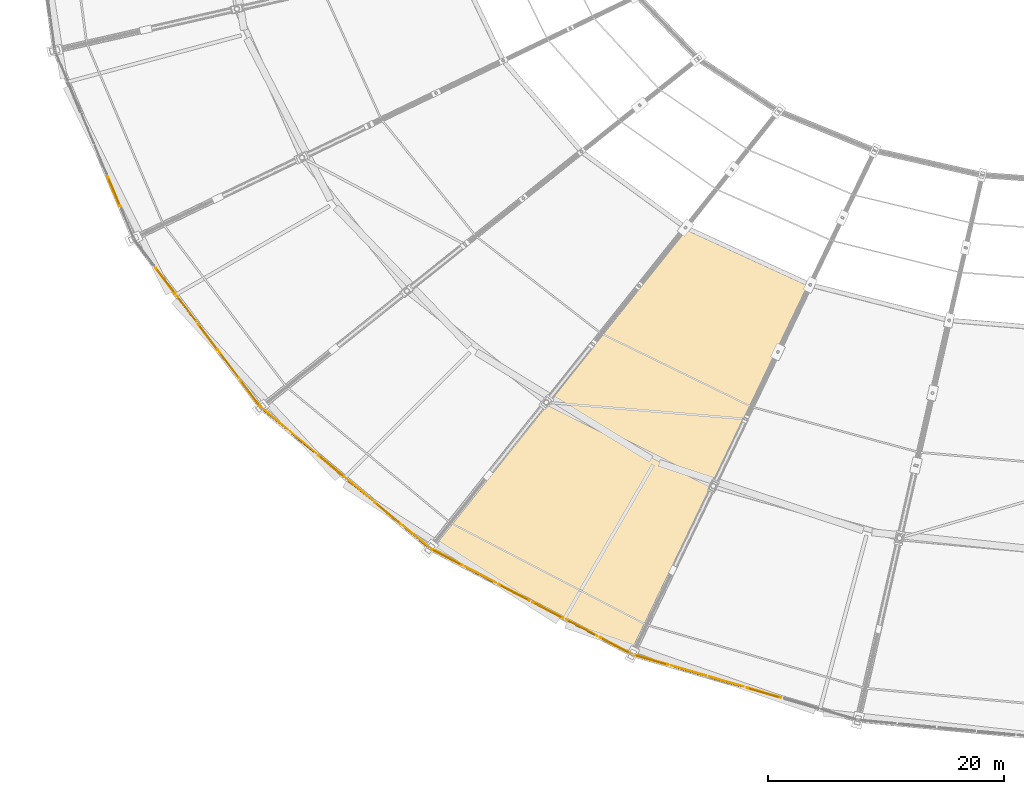
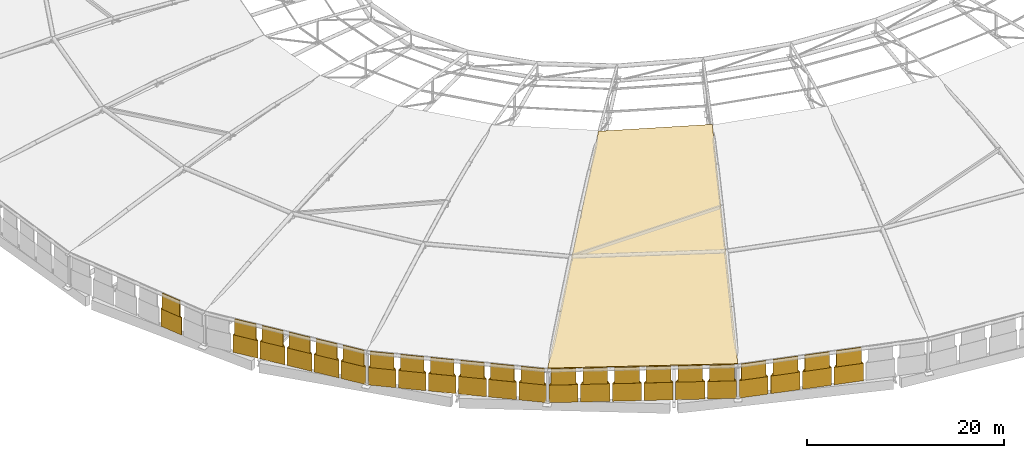
# One storey, part 100 of 108: 45 coverings, 22 shading devices.
"""IFC4 building model written with IfcOpenShell, lengths in metres."""

from ifc_helpers import new_model, si_unit, direction, frame, origin, origin_2d, place, context, subcontext, project, spatial, polyline, rectangle, outline, extrude, material, layer, layer_set, type_object, element, save


model = new_model("IFC4")

# Units and contexts
model_context = context("Model", 3, precision=1e-05, world=origin(), true_north=direction((0.0, 1.0)))
body_context = subcontext(model_context, "Body", "Model", "MODEL_VIEW")
ifc_project = project(units=[si_unit("LENGTHUNIT", "METRE"), si_unit("AREAUNIT", "SQUARE_METRE"), si_unit("VOLUMEUNIT", "CUBIC_METRE"), si_unit("PLANEANGLEUNIT", "RADIAN"), si_unit("MASSUNIT", "GRAM", prefix="KILO")], contexts=[model_context])

# Site, building, storey
site_placement = place(None, origin())
site = spatial("IfcSite", under=ifc_project, at=site_placement, CompositionType="ELEMENT")
building_placement = place(site_placement, origin())
building = spatial("IfcBuilding", under=site, at=building_placement, Name="Zevraka Park Crest Stadium", CompositionType="ELEMENT")
storey_placement = place(building_placement, frame((0.0, 0.0, 29.39990234375)))
storey = spatial("IfcBuildingStorey", under=building, at=storey_placement, Name="RF", CompositionType="ELEMENT", Elevation=29.39990234375)

# Coverings
ifc_material_1 = material(Name="Architectural golden-bronze perforated aluminium", Category="aluminium")
ifc_layer_1 = layer(ifc_material_1, 0.034912109375)
ifc_layer_set_1 = layer_set([ifc_layer_1], Name="Architectural golden-bronze perforated aluminium")
covering_type_1 = type_object("IfcCoveringType", Name="CLD01", PredefinedType="CLADDING", material=ifc_layer_set_1)
covering_1_placement = place(storey_placement, frame((28.4609375, 64.528076171875, 0.0), z_axis=(-0.922077593739, -0.3870050531, 0.0), x_axis=(0.3870050531, -0.922077593739, 0.0)))
element("IfcCovering", 1, at=covering_1_placement, inside=storey, type_object=covering_type_1, Name="Canopy Crown Perforated Bronze Fascia 16-5A", PredefinedType="CLADDING", context=body_context, shape_type="SweptSolid", body=[
    extrude(outline(polyline([(0.0, 0.0), (2.6463993523372635, 0.0), (2.6463993523372635, 2.2001953125), (0.0, 2.2001953125), (0.0, 0.0)])), origin(), (0.0, 0.0, -1.0), 0.044921875),
])
covering_2_placement = place(storey_placement, frame((28.4609375, 64.528076171875, 2.2001953125), z_axis=(0.922077593266, 0.387005052902, 3.2021098e-05), x_axis=(0.3870050531, -0.922077593739, 0.0)))
element("IfcCovering", 2, at=covering_2_placement, inside=storey, type_object=covering_type_1, Name="Canopy Crown Triangular Bronze Screen 16-5B", PredefinedType="CLADDING", context=body_context, shape_type="SweptSolid", body=[
    extrude(outline(polyline([(0.0, 0.0), (2.6463993523372635, 3.3881317890172014e-21), (1.3230398760408437, -2.039794922920753), (0.0, 0.0)])), origin(), (0.0, 0.0, -1.0), 0.044921875),
])
covering_3_placement = place(storey_placement, frame((32.508056640625, 56.85400390625, 0.0), z_axis=(-0.798736787281, -0.601680600189, 0.0), x_axis=(0.601680600189, -0.798736787281, 0.0)))
element("IfcCovering", 3, at=covering_3_placement, inside=storey, type_object=covering_type_1, Name="Canopy Crown Perforated Bronze Fascia 17-2A", PredefinedType="CLADDING", context=body_context, shape_type="SweptSolid", body=[
    extrude(outline(polyline([(0.0, 0.0), (2.7405334004978643, 0.0), (2.7405334004978643, 2.2001953125), (0.0, 2.2001953125), (0.0, 0.0)])), origin(), (0.0, 0.0, -1.0), 0.044921875),
])
covering_4_placement = place(storey_placement, frame((32.508056640625, 56.85400390625, 2.2001953125), z_axis=(0.798736786392, 0.60168059952, 4.7170841e-05), x_axis=(0.601680600189, -0.798736787281, 0.0)))
element("IfcCovering", 4, at=covering_4_placement, inside=storey, type_object=covering_type_1, Name="Canopy Crown Triangular Bronze Screen 17-2B", PredefinedType="CLADDING", context=body_context, shape_type="SweptSolid", body=[
    extrude(outline(polyline([(0.0, 0.0), (2.740533400497864, 1.3552527156068805e-20), (1.369582902696456, -2.039794924144362), (0.0, 0.0)])), origin(), (0.0, 0.0, -1.0), 0.044921875),
])
covering_5_placement = place(storey_placement, frame((34.301025390625, 54.47412109375, 0.0), z_axis=(-0.798769034378, -0.601637789471, 0.0), x_axis=(0.601637789471, -0.798769034378, 0.0)))
element("IfcCovering", 5, at=covering_5_placement, inside=storey, type_object=covering_type_1, Name="Canopy Crown Perforated Bronze Fascia 17-3A", PredefinedType="CLADDING", context=body_context, shape_type="SweptSolid", body=[
    extrude(outline(polyline([(0.0, 0.0), (2.740728408532874, 0.0), (2.740728408532874, 2.2001953125), (0.0, 2.2001953125), (0.0, 0.0)])), origin(), (0.0, 0.0, -1.0), 0.044921875),
])
covering_6_placement = place(storey_placement, frame((34.301025390625, 54.47412109375, 2.2001953125), z_axis=(-0.798769034328, -0.601637789433, 1.1184153e-05), x_axis=(0.601637789471, -0.798769034378, 0.0)))
element("IfcCovering", 6, at=covering_6_placement, inside=storey, type_object=covering_type_1, Name="Canopy Crown Triangular Bronze Screen 17-3B", PredefinedType="CLADDING", context=body_context, shape_type="SweptSolid", body=[
    extrude(outline(polyline([(0.0, 0.0), (2.740728408532874, 1.6940658945086007e-21), (1.3711455026465362, 2.0397949220025744), (0.0, 0.0)])), origin(), (0.0, 0.0, -1.0), 0.044921875),
])
covering_7_placement = place(storey_placement, frame((36.093994140625, 52.094970703125, 0.0), z_axis=(-0.798736787281, -0.601680600189, 0.0), x_axis=(0.601680600189, -0.798736787281, 0.0)))
element("IfcCovering", 7, at=covering_7_placement, inside=storey, type_object=covering_type_1, Name="Canopy Crown Perforated Bronze Fascia 17-4A", PredefinedType="CLADDING", context=body_context, shape_type="SweptSolid", body=[
    extrude(outline(polyline([(0.0, 0.0), (2.7405334004978643, 0.0), (2.7405334004978643, 2.2001953125), (0.0, 2.2001953125), (0.0, 0.0)])), origin(), (0.0, 0.0, -1.0), 0.044921875),
])
covering_8_placement = place(storey_placement, frame((36.093994140625, 52.094970703125, 2.2001953125), z_axis=(0.798736742401, 0.601680566381, 0.00033522856), x_axis=(0.601680600189, -0.798736787281, 0.0)))
element("IfcCovering", 8, at=covering_8_placement, inside=storey, type_object=covering_type_1, Name="Canopy Crown Triangular Bronze Screen 17-4B", PredefinedType="CLADDING", context=body_context, shape_type="SweptSolid", body=[
    extrude(outline(polyline([(0.0, 0.0), (2.7405334004978643, 1.0842021724855044e-19), (1.3703629190902855, -2.0397950364892377), (0.0, 0.0)])), origin(), (0.0, 0.0, -1.0), 0.044921875),
])
covering_9_placement = place(storey_placement, frame((37.886962890625, 49.715087890625, 0.0), z_axis=(-0.798769034378, -0.601637789471, 0.0), x_axis=(0.601637789471, -0.798769034378, 0.0)))
element("IfcCovering", 9, at=covering_9_placement, inside=storey, type_object=covering_type_1, Name="Canopy Crown Perforated Bronze Fascia 17-5A", PredefinedType="CLADDING", context=body_context, shape_type="SweptSolid", body=[
    extrude(outline(polyline([(0.0, 0.0), (2.740728408532874, 0.0), (2.740728408532874, 2.2001953125), (0.0, 2.2001953125), (0.0, 0.0)])), origin(), (0.0, 0.0, -1.0), 0.044921875),
])
covering_10_placement = place(storey_placement, frame((37.886962890625, 49.715087890625, 2.2001953125), z_axis=(-0.798768979338, -0.601637748014, 0.00037123068), x_axis=(0.601637789471, -0.798769034378, 0.0)))
element("IfcCovering", 10, at=covering_10_placement, inside=storey, type_object=covering_type_1, Name="Canopy Crown Triangular Bronze Screen 17-5B", PredefinedType="CLADDING", context=body_context, shape_type="SweptSolid", body=[
    extrude(outline(polyline([(0.0, 0.0), (2.740728408532874, 1.0842021724855044e-19), (1.3701704427901182, 2.039795062429345), (0.0, 0.0)])), origin(), (0.0, 0.0, -1.0), 0.044921875),
])
covering_11_placement = place(storey_placement, frame((39.679931640625, 47.3349609375, 0.0), z_axis=(-0.798693974654, -0.601737430157, 0.0), x_axis=(0.601737430157, -0.798693974654, 0.0)))
element("IfcCovering", 11, at=covering_11_placement, inside=storey, type_object=covering_type_1, Name="Canopy Crown Perforated Bronze Fascia 17-6A", PredefinedType="CLADDING", context=body_context, shape_type="SweptSolid", body=[
    extrude(outline(polyline([(0.0, 0.0), (2.7406803021130823, 0.0), (2.7406803021130823, 2.2001953125), (0.0, 2.2001953125), (0.0, 0.0)])), origin(), (0.0, 0.0, -1.0), 0.044921875),
])
covering_12_placement = place(storey_placement, frame((39.679931640625, 47.3349609375, 2.2001953125), z_axis=(0.798693916065, 0.601737386016, 0.000383029271), x_axis=(0.601737430157, -0.798693974654, 0.0)))
element("IfcCovering", 12, at=covering_12_placement, inside=storey, type_object=covering_type_1, Name="Canopy Crown Triangular Bronze Screen 17-6B", PredefinedType="CLADDING", context=body_context, shape_type="SweptSolid", body=[
    extrude(outline(polyline([(0.0, 0.0), (2.7406803021130823, 0.0), (1.3703628669681416, -2.0397950715056243), (0.0, 0.0)])), origin(), (0.0, 0.0, -1.0), 0.044921875),
])
covering_13_placement = place(storey_placement, frame((41.49609375, 44.971923828125, 0.0), z_axis=(-0.640487107171, -0.767968922254, 0.0), x_axis=(0.767968922254, -0.640487107171, 0.0)))
element("IfcCovering", 13, at=covering_13_placement, inside=storey, type_object=covering_type_1, Name="Canopy Crown Perforated Bronze Fascia 18-1A", PredefinedType="CLADDING", context=body_context, shape_type="SweptSolid", body=[
    extrude(outline(polyline([(0.0, 0.0), (2.8554164500737182, 0.0), (2.8554164500737182, 2.2001953125), (0.0, 2.2001953125), (0.0, 0.0)])), origin(), (0.0, 0.0, -1.0), 0.044921875),
])
covering_14_placement = place(storey_placement, frame((41.49609375, 44.971923828125, 2.2001953125), z_axis=(-0.640487105298, -0.767968920008, 7.6474936e-05), x_axis=(0.767968922254, -0.640487107171, 0.0)))
element("IfcCovering", 14, at=covering_14_placement, inside=storey, type_object=covering_type_1, Name="Canopy Crown Triangular Bronze Screen 18-1B", PredefinedType="CLADDING", context=body_context, shape_type="SweptSolid", body=[
    extrude(outline(polyline([(0.0, 0.0), (2.8554164500737182, 1.3552527156068805e-20), (1.426942317904917, 2.039794927839785), (0.0, 0.0)])), origin(), (0.0, 0.0, -1.0), 0.044921875),
])
covering_15_placement = place(storey_placement, frame((43.87890625, 42.98388671875, 0.0), z_axis=(-0.640243276272, -0.768172211934, 0.0), x_axis=(0.768172211934, -0.640243276272, 0.0)))
element("IfcCovering", 15, at=covering_15_placement, inside=storey, type_object=covering_type_1, Name="Canopy Crown Perforated Bronze Fascia 18-2A", PredefinedType="CLADDING", context=body_context, shape_type="SweptSolid", body=[
    extrude(outline(polyline([(0.0, 0.0), (2.8549786106584403, 0.0), (2.8549786106584403, 2.2001953125), (0.0, 2.2001953125), (0.0, 0.0)])), origin(), (0.0, 0.0, -1.0), 0.044921875),
])
covering_16_placement = place(storey_placement, frame((43.87890625, 42.98388671875, 2.2001953125), z_axis=(-0.640243258208, -0.768172190261, 0.00023754569), x_axis=(0.768172211934, -0.640243276272, 0.0)))
element("IfcCovering", 16, at=covering_16_placement, inside=storey, type_object=covering_type_1, Name="Canopy Crown Triangular Bronze Screen 18-2B", PredefinedType="CLADDING", context=body_context, shape_type="SweptSolid", body=[
    extrude(outline(polyline([(0.0, 0.0), (2.8549786106584403, 0.0), (1.427880005742233, 2.03979497942573), (0.0, 0.0)])), origin(), (0.0, 0.0, -1.0), 0.044921875),
])
covering_17_placement = place(storey_placement, frame((46.261962890625, 40.9970703125, 0.0), z_axis=(-0.640293732957, -0.768130155336, 0.0), x_axis=(0.768130155336, -0.640293732957, 0.0)))
element("IfcCovering", 17, at=covering_17_placement, inside=storey, type_object=covering_type_1, Name="Canopy Crown Perforated Bronze Fascia 18-3A", PredefinedType="CLADDING", context=body_context, shape_type="SweptSolid", body=[
    extrude(outline(polyline([(0.0, 0.0), (2.855134926211494, 0.0), (2.855134926211494, 2.2001953125), (0.0, 2.2001953125), (0.0, 0.0)])), origin(), (0.0, 0.0, -1.0), 0.044921875),
])
covering_18_placement = place(storey_placement, frame((46.261962890625, 40.9970703125, 2.2001953125), z_axis=(0.640293721206, 0.768130141238, 0.000191589982), x_axis=(0.768130155336, -0.640293732957, 0.0)))
element("IfcCovering", 18, at=covering_18_placement, inside=storey, type_object=covering_type_1, Name="Canopy Crown Triangular Bronze Screen 18-3B", PredefinedType="CLADDING", context=body_context, shape_type="SweptSolid", body=[
    extrude(outline(polyline([(0.0, 0.0), (2.855134926211494, 5.421010862427522e-20), (1.4270986336652345, -2.0397949593120925), (0.0, 0.0)])), origin(), (0.0, 0.0, -1.0), 0.044921875),
])
covering_19_placement = place(storey_placement, frame((48.64501953125, 39.010009765625, 0.0), z_axis=(-0.640335790713, -0.76809509511, 0.0), x_axis=(0.76809509511, -0.640335790713, 0.0)))
element("IfcCovering", 19, at=covering_19_placement, inside=storey, type_object=covering_type_1, Name="Canopy Crown Perforated Bronze Fascia 18-4A", PredefinedType="CLADDING", context=body_context, shape_type="SweptSolid", body=[
    extrude(outline(polyline([(0.0, 0.0), (2.8549473987149607, 0.0), (2.8549473987149607, 2.2001953125), (0.0, 2.2001953125), (0.0, 0.0)])), origin(), (0.0, 0.0, -1.0), 0.044921875),
])
covering_20_placement = place(storey_placement, frame((48.64501953125, 39.010009765625, 2.2001953125), z_axis=(-0.64033578319, -0.768095086087, 0.000153282055), x_axis=(0.76809509511, -0.640335790713, 0.0)))
element("IfcCovering", 20, at=covering_20_placement, inside=storey, type_object=covering_type_1, Name="Canopy Crown Triangular Bronze Screen 18-4B", PredefinedType="CLADDING", context=body_context, shape_type="SweptSolid", body=[
    extrude(outline(polyline([(0.0, 0.0), (2.8549473987149607, -2.710505431213761e-20), (1.4278487457906397, 2.0397949458378877), (0.0, 0.0)])), origin(), (0.0, 0.0, -1.0), 0.044921875),
])
covering_21_placement = place(storey_placement, frame((51.028076171875, 37.02294921875, 0.0), z_axis=(-0.64028533532, -0.768137155315, 0.0), x_axis=(0.768137155315, -0.64028533532, 0.0)))
element("IfcCovering", 21, at=covering_21_placement, inside=storey, type_object=covering_type_1, Name="Canopy Crown Perforated Bronze Fascia 18-5A", PredefinedType="CLADDING", context=body_context, shape_type="SweptSolid", body=[
    extrude(outline(polyline([(0.0, 0.0), (2.8547910728937436, 0.0), (2.8547910728937436, 2.2001953125), (0.0, 2.2001953125), (0.0, 0.0)])), origin(), (0.0, 0.0, -1.0), 0.044921875),
])
covering_22_placement = place(storey_placement, frame((51.028076171875, 37.02294921875, 2.2001953125), z_axis=(0.640285322611, 0.768137140069, 0.000199238685), x_axis=(0.768137155315, -0.64028533532, 0.0)))
element("IfcCovering", 22, at=covering_22_placement, inside=storey, type_object=covering_type_1, Name="Canopy Crown Triangular Bronze Screen 18-5B", PredefinedType="CLADDING", context=body_context, shape_type="SweptSolid", body=[
    extrude(outline(polyline([(0.0, 0.0), (2.8547910728937436, -5.421010862427522e-20), (1.427098629307475, -2.0397949623609057), (0.0, 0.0)])), origin(), (0.0, 0.0, -1.0), 0.044921875),
])
covering_23_placement = place(storey_placement, frame((53.410888671875, 35.035888671875, 0.0), z_axis=(-0.640445053294, -0.768003993291, 0.0), x_axis=(0.768003993291, -0.640445053294, 0.0)))
element("IfcCovering", 23, at=covering_23_placement, inside=storey, type_object=covering_type_1, Name="Canopy Crown Perforated Bronze Fascia 18-6A", PredefinedType="CLADDING", context=body_context, shape_type="SweptSolid", body=[
    extrude(outline(polyline([(0.0, 0.0), (2.855603946767651, 0.0), (2.855603946767651, 2.2001953125), (0.0, 2.2001953125), (0.0, 0.0)])), origin(), (0.0, 0.0, -1.0), 0.044921875),
])
covering_24_placement = place(storey_placement, frame((53.410888671875, 35.035888671875, 2.2001953125), z_axis=(-0.640444996419, -0.768003925088, 0.000421438935), x_axis=(0.768003993291, -0.640445053294, 0.0)))
element("IfcCovering", 24, at=covering_24_placement, inside=storey, type_object=covering_type_1, Name="Canopy Crown Triangular Bronze Screen 18-6B", PredefinedType="CLADDING", context=body_context, shape_type="SweptSolid", body=[
    extrude(outline(polyline([(0.0, 0.0), (2.855603946767651, 0.0), (1.4278798291821633, 2.0397951030198036), (0.0, 0.0)])), origin(), (0.0, 0.0, -1.0), 0.044921875),
])
covering_25_placement = place(storey_placement, frame((55.81298828125, 33.068115234375, 0.0), z_axis=(-0.464006994671, -0.88583153528, 0.0), x_axis=(0.88583153528, -0.464006994671, 0.0)))
element("IfcCovering", 25, at=covering_25_placement, inside=storey, type_object=covering_type_1, Name="Canopy Crown Perforated Bronze Fascia 19-1A", PredefinedType="CLADDING", context=body_context, shape_type="SweptSolid", body=[
    extrude(outline(polyline([(0.0, 0.0), (2.9633173977824248, 0.0), (2.9633173977824248, 2.2001953125), (0.0, 2.2001953125), (0.0, 0.0)])), origin(), (0.0, 0.0, -1.0), 0.044921875),
])
covering_26_placement = place(storey_placement, frame((55.81298828125, 33.068115234375, 2.2001953125), z_axis=(0.464006984729, 0.885831516302, 0.000206999471), x_axis=(0.88583153528, -0.464006994671, 0.0)))
element("IfcCovering", 26, at=covering_26_placement, inside=storey, type_object=covering_type_1, Name="Canopy Crown Triangular Bronze Screen 19-1B", PredefinedType="CLADDING", context=body_context, shape_type="SweptSolid", body=[
    extrude(outline(polyline([(0.0, 0.0), (2.963317397782425, 0.0), (1.4824310826935982, -2.0397949655763647), (0.0, 0.0)])), origin(), (0.0, 0.0, -1.0), 0.044921875),
])
covering_27_placement = place(storey_placement, frame((58.6669921875, 31.572998046875, 0.0), z_axis=(-0.464265532752, -0.885696062483, 0.0), x_axis=(0.885696062483, -0.464265532752, 0.0)))
element("IfcCovering", 27, at=covering_27_placement, inside=storey, type_object=covering_type_1, Name="Canopy Crown Perforated Bronze Fascia 19-2A", PredefinedType="CLADDING", context=body_context, shape_type="SweptSolid", body=[
    extrude(outline(polyline([(0.0, 0.0), (2.9637706558621093, 0.0), (2.9637706558621093, 2.2001953125), (0.0, 2.2001953125), (0.0, 0.0)])), origin(), (0.0, 0.0, -1.0), 0.044921875),
])
covering_28_placement = place(storey_placement, frame((58.6669921875, 31.572998046875, 2.2001953125), z_axis=(-0.464265529885, -0.885696057014, 0.000111134777), x_axis=(0.885696062483, -0.464265532752, 0.0)))
element("IfcCovering", 28, at=covering_28_placement, inside=storey, type_object=covering_type_1, Name="Canopy Crown Triangular Bronze Screen 19-2B", PredefinedType="CLADDING", context=body_context, shape_type="SweptSolid", body=[
    extrude(outline(polyline([(0.0, 0.0), (2.9637706558621093, 0.0), (1.482317796711564, 2.0397949344716912), (0.0, 0.0)])), origin(), (0.0, 0.0, -1.0), 0.044921875),
])
covering_29_placement = place(storey_placement, frame((61.52001953125, 30.077880859375, 0.0), z_axis=(-0.464265532752, -0.885696062483, 0.0), x_axis=(0.885696062483, -0.464265532752, 0.0)))
element("IfcCovering", 29, at=covering_29_placement, inside=storey, type_object=covering_type_1, Name="Canopy Crown Perforated Bronze Fascia 19-3A", PredefinedType="CLADDING", context=body_context, shape_type="SweptSolid", body=[
    extrude(outline(polyline([(0.0, 0.0), (2.9637706558621093, 0.0), (2.9637706558621093, 2.2001953125), (0.0, 2.2001953125), (0.0, 0.0)])), origin(), (0.0, 0.0, -1.0), 0.044921875),
])
covering_30_placement = place(storey_placement, frame((61.52001953125, 30.077880859375, 2.2001953125), z_axis=(0.464265529885, 0.885696057014, 0.000111134777), x_axis=(0.885696062483, -0.464265532752, 0.0)))
element("IfcCovering", 30, at=covering_30_placement, inside=storey, type_object=covering_type_1, Name="Canopy Crown Triangular Bronze Screen 19-3B", PredefinedType="CLADDING", context=body_context, shape_type="SweptSolid", body=[
    extrude(outline(polyline([(0.0, 0.0), (2.9637706558621093, 0.0), (1.4814528591505454, -2.0397949344716912), (0.0, 0.0)])), origin(), (0.0, 0.0, -1.0), 0.044921875),
])
covering_31_placement = place(storey_placement, frame((64.3740234375, 28.5830078125, 0.0), z_axis=(-0.464265532752, -0.885696062483, 0.0), x_axis=(0.885696062483, -0.464265532752, 0.0)))
element("IfcCovering", 31, at=covering_31_placement, inside=storey, type_object=covering_type_1, Name="Canopy Crown Perforated Bronze Fascia 19-4A", PredefinedType="CLADDING", context=body_context, shape_type="SweptSolid", body=[
    extrude(outline(polyline([(0.0, 0.0), (2.9637706558621093, 0.0), (2.9637706558621093, 2.2001953125), (0.0, 2.2001953125), (0.0, 0.0)])), origin(), (0.0, 0.0, -1.0), 0.044921875),
])
covering_32_placement = place(storey_placement, frame((64.3740234375, 28.5830078125, 2.2001953125), z_axis=(0.464265529885, 0.885696057014, 0.000111134777), x_axis=(0.885696062483, -0.464265532752, 0.0)))
element("IfcCovering", 32, at=covering_32_placement, inside=storey, type_object=covering_type_1, Name="Canopy Crown Triangular Bronze Screen 19-4B", PredefinedType="CLADDING", context=body_context, shape_type="SweptSolid", body=[
    extrude(outline(polyline([(0.0, 0.0), (2.9637706558621093, 0.0), (1.4814528591505454, -2.0397949344716912), (0.0, 0.0)])), origin(), (0.0, 0.0, -1.0), 0.044921875),
])
covering_33_placement = place(storey_placement, frame((67.22705078125, 27.087890625, 0.0), z_axis=(-0.464265532752, -0.885696062483, 0.0), x_axis=(0.885696062483, -0.464265532752, 0.0)))
element("IfcCovering", 33, at=covering_33_placement, inside=storey, type_object=covering_type_1, Name="Canopy Crown Perforated Bronze Fascia 19-5A", PredefinedType="CLADDING", context=body_context, shape_type="SweptSolid", body=[
    extrude(outline(polyline([(0.0, 0.0), (2.9637706558621093, 0.0), (2.9637706558621093, 2.2001953125), (0.0, 2.2001953125), (0.0, 0.0)])), origin(), (0.0, 0.0, -1.0), 0.044921875),
])
covering_34_placement = place(storey_placement, frame((67.22705078125, 27.087890625, 2.2001953125), z_axis=(-0.464265529885, -0.885696057014, 0.000111134777), x_axis=(0.885696062483, -0.464265532752, 0.0)))
element("IfcCovering", 34, at=covering_34_placement, inside=storey, type_object=covering_type_1, Name="Canopy Crown Triangular Bronze Screen 19-5B", PredefinedType="CLADDING", context=body_context, shape_type="SweptSolid", body=[
    extrude(outline(polyline([(0.0, 0.0), (2.9637706558621093, 0.0), (1.482317796711564, 2.0397949344716912), (0.0, 0.0)])), origin(), (0.0, 0.0, -1.0), 0.044921875),
])
covering_35_placement = place(storey_placement, frame((70.0810546875, 25.592041015625, 0.0), z_axis=(-0.464006994671, -0.88583153528, 0.0), x_axis=(0.88583153528, -0.464006994671, 0.0)))
element("IfcCovering", 35, at=covering_35_placement, inside=storey, type_object=covering_type_1, Name="Canopy Crown Perforated Bronze Fascia 19-6A", PredefinedType="CLADDING", context=body_context, shape_type="SweptSolid", body=[
    extrude(outline(polyline([(0.0, 0.0), (2.9633173977824248, 0.0), (2.9633173977824248, 2.2001953125), (0.0, 2.2001953125), (0.0, 0.0)])), origin(), (0.0, 0.0, -1.0), 0.044921875),
])
covering_36_placement = place(storey_placement, frame((70.0810546875, 25.592041015625, 2.2001953125), z_axis=(0.464006992305, 0.885831530764, 0.000100975353), x_axis=(0.88583153528, -0.464006994671, 0.0)))
element("IfcCovering", 36, at=covering_36_placement, inside=storey, type_object=covering_type_1, Name="Canopy Crown Triangular Bronze Screen 19-6B", PredefinedType="CLADDING", context=body_context, shape_type="SweptSolid", body=[
    extrude(outline(polyline([(0.0, 0.0), (2.963317397782425, 0.0), (1.482317799735915, -2.0397949322738973), (0.0, 0.0)])), origin(), (0.0, 0.0, -1.0), 0.044921875),
])
covering_37_placement = place(storey_placement, frame((72.947021484375, 24.1201171875, 0.0), z_axis=(-0.280089166115, -0.959973988723, 0.0), x_axis=(0.959973988723, -0.280089166115, 0.0)))
element("IfcCovering", 37, at=covering_37_placement, inside=storey, type_object=covering_type_1, Name="Canopy Crown Perforated Bronze Fascia 20-1A", PredefinedType="CLADDING", context=body_context, shape_type="SweptSolid", body=[
    extrude(outline(polyline([(0.0, 0.0), (3.0490429819023257, 0.0), (3.0490429819023257, 2.2001953125), (0.0, 2.2001953125), (0.0, 0.0)])), origin(), (0.0, 0.0, -1.0), 0.044921875),
])
covering_38_placement = place(storey_placement, frame((72.947021484375, 24.1201171875, 2.2001953125), z_axis=(0.280089165131, 0.959973985352, 8.3808847e-05), x_axis=(0.959973988723, -0.280089166115, 0.0)))
element("IfcCovering", 38, at=covering_38_placement, inside=storey, type_object=covering_type_1, Name="Canopy Crown Triangular Bronze Screen 20-1B", PredefinedType="CLADDING", context=body_context, shape_type="SweptSolid", body=[
    extrude(outline(polyline([(0.0, 0.0), (3.0490429819023257, 1.3552527156068805e-20), (1.5239355693271863, -2.039794929038681), (0.0, 0.0)])), origin(), (0.0, 0.0, -1.0), 0.044921875),
])
covering_39_placement = place(storey_placement, frame((76.1279296875, 23.19189453125, 0.0), z_axis=(-0.280089166115, -0.959973988723, 0.0), x_axis=(0.959973988723, -0.280089166115, 0.0)))
element("IfcCovering", 39, at=covering_39_placement, inside=storey, type_object=covering_type_1, Name="Canopy Crown Perforated Bronze Fascia 20-2A", PredefinedType="CLADDING", context=body_context, shape_type="SweptSolid", body=[
    extrude(outline(polyline([(0.0, 0.0), (3.0490429819023257, 0.0), (3.0490429819023257, 2.2001953125), (0.0, 2.2001953125), (0.0, 0.0)])), origin(), (0.0, 0.0, -1.0), 0.044921875),
])
covering_40_placement = place(storey_placement, frame((76.1279296875, 23.19189453125, 2.2001953125), z_axis=(-0.280089165131, -0.959973985352, 8.3808847e-05), x_axis=(0.959973988723, -0.280089166115, 0.0)))
element("IfcCovering", 40, at=covering_40_placement, inside=storey, type_object=covering_type_1, Name="Canopy Crown Triangular Bronze Screen 20-2B", PredefinedType="CLADDING", context=body_context, shape_type="SweptSolid", body=[
    extrude(outline(polyline([(0.0, 0.0), (3.0490429819023257, 1.3552527156068805e-20), (1.5251074125751394, 2.039794929038681), (0.0, 0.0)])), origin(), (0.0, 0.0, -1.0), 0.044921875),
])
covering_41_placement = place(storey_placement, frame((79.30908203125, 22.263916015625, 0.0), z_axis=(-0.280089166115, -0.959973988723, 0.0), x_axis=(0.959973988723, -0.280089166115, 0.0)))
element("IfcCovering", 41, at=covering_41_placement, inside=storey, type_object=covering_type_1, Name="Canopy Crown Perforated Bronze Fascia 20-3A", PredefinedType="CLADDING", context=body_context, shape_type="SweptSolid", body=[
    extrude(outline(polyline([(0.0, 0.0), (3.0490429819023257, 0.0), (3.0490429819023257, 2.2001953125), (0.0, 2.2001953125), (0.0, 0.0)])), origin(), (0.0, 0.0, -1.0), 0.044921875),
])
covering_42_placement = place(storey_placement, frame((79.30908203125, 22.263916015625, 2.2001953125), z_axis=(-0.280089165761, -0.959973987509, 5.0285308e-05), x_axis=(0.959973988723, -0.280089166115, 0.0)))
element("IfcCovering", 42, at=covering_42_placement, inside=storey, type_object=covering_type_1, Name="Canopy Crown Triangular Bronze Screen 20-3B", PredefinedType="CLADDING", context=body_context, shape_type="SweptSolid", body=[
    extrude(outline(polyline([(0.0, 0.0), (3.0490429819023257, 0.0), (1.5248730439255487, 2.039794924453925), (0.0, 0.0)])), origin(), (0.0, 0.0, -1.0), 0.044921875),
])
covering_43_placement = place(storey_placement, frame((82.489990234375, 21.3349609375, 0.0), z_axis=(-0.280089166115, -0.959973988723, 0.0), x_axis=(0.959973988723, -0.280089166115, 0.0)))
element("IfcCovering", 43, at=covering_43_placement, inside=storey, type_object=covering_type_1, Name="Canopy Crown Perforated Bronze Fascia 20-4A", PredefinedType="CLADDING", context=body_context, shape_type="SweptSolid", body=[
    extrude(outline(polyline([(0.0, 0.0), (3.0490429819023257, 0.0), (3.0490429819023257, 2.2001953125), (0.0, 2.2001953125), (0.0, 0.0)])), origin(), (0.0, 0.0, -1.0), 0.044921875),
])
covering_44_placement = place(storey_placement, frame((82.489990234375, 21.3349609375, 2.2001953125), z_axis=(0.280089165131, 0.959973985352, 8.3808847e-05), x_axis=(0.959973988723, -0.280089166115, 0.0)))
element("IfcCovering", 44, at=covering_44_placement, inside=storey, type_object=covering_type_1, Name="Canopy Crown Triangular Bronze Screen 20-4B", PredefinedType="CLADDING", context=body_context, shape_type="SweptSolid", body=[
    extrude(outline(polyline([(0.0, 0.0), (3.0490429819023257, 1.3552527156068805e-20), (1.5239355693271863, -2.039794929038681), (0.0, 0.0)])), origin(), (0.0, 0.0, -1.0), 0.044921875),
])

# Shading devices
ifc_material_2 = material(Name="Terracotta and bronze acoustic ventilation louvre", Category="masonry")
ifc_layer_2 = layer(ifc_material_2, 0.080078125)
ifc_layer_set_2 = layer_set([ifc_layer_2], Name="Terracotta and bronze acoustic ventilation louvre")
shading_device_type = type_object("IfcShadingDeviceType", Name="LVR01", PredefinedType="USERDEFINED", material=ifc_layer_set_2)
shading_device_placement = place(storey_placement, frame((28.972900390625, 63.30810546875, 2.22021484375), z_axis=(0.0, 0.0, 1.0), x_axis=(0.387032846937, -0.922065927899, 0.0)))
element("IfcShadingDevice", 45, at=shading_device_placement, inside=storey, type_object=shading_device_type, Name="Canopy Crown Acoustic Wind Louvre 16-5", ObjectType="LOUVRE", PredefinedType="USERDEFINED", context=body_context, shape_type="SweptSolid", body=[
    extrude(rectangle(XDim=2.25, YDim=0.1201171875, at=origin_2d()), origin(), (0.0, 0.0, 1.0), 2.0),
])
for number, where, z_axis, x_axis, name in (
    (46, (33.33203125, 55.760009765625, 2.22021484375), (0.0, 0.0, 1.0), (0.601815023152, -0.798635510047, 0.0), "Canopy Crown Acoustic Wind Louvre 17-2"),
    (47, (35.1259765625, 53.37890625, 2.22021484375), (0.0, 0.0, 1.0), (0.601815023152, -0.798635510047, 0.0), "Canopy Crown Acoustic Wind Louvre 17-3"),
    (48, (36.91796875, 51.0, 2.22021484375), (0.0, 0.0, 1.0), (0.601815023152, -0.798635510047, 0.0), "Canopy Crown Acoustic Wind Louvre 17-4"),
    (49, (38.7119140625, 48.62109375, 2.22021484375), (0.0, 0.0, 1.0), (0.601815023152, -0.798635510047, 0.0), "Canopy Crown Acoustic Wind Louvre 17-5"),
    (50, (40.50390625, 46.239990234375, 2.22021484375), (0.0, 0.0, 1.0), (0.601815023152, -0.798635510047, 0.0), "Canopy Crown Acoustic Wind Louvre 17-6"),
):
    element("IfcShadingDevice", number, at=place(storey_placement, frame(where, z_axis=z_axis, x_axis=x_axis)), inside=storey, type_object=shading_device_type, Name=name, ObjectType="LOUVRE", PredefinedType="USERDEFINED", context=body_context, shape_type="SweptSolid", body=[
        extrude(rectangle(XDim=2.330078125, YDim=0.1201171875, at=origin_2d()), origin(), (0.0, 0.0, 1.0), 2.0),
    ])
for number, where, z_axis, x_axis, name in (
    (51, (42.592041015625, 44.05810546875, 2.22021484375), (0.0, 0.0, 1.0), (0.768060036355, -0.640377842023, 0.0), "Canopy Crown Acoustic Wind Louvre 18-1"),
    (52, (44.97607421875, 42.070068359375, 2.22021484375), (0.0, 0.0, 1.0), (0.768060036355, -0.640377842023, 0.0), "Canopy Crown Acoustic Wind Louvre 18-2"),
    (53, (47.35791015625, 40.0830078125, 2.22021484375), (0.0, 0.0, 1.0), (0.768060036355, -0.640377842023, 0.0), "Canopy Crown Acoustic Wind Louvre 18-3"),
    (54, (49.741943359375, 38.095947265625, 2.22021484375), (0.0, 0.0, 1.0), (0.768060036355, -0.640377842023, 0.0), "Canopy Crown Acoustic Wind Louvre 18-4"),
    (55, (52.1240234375, 36.10888671875, 2.22021484375), (0.0, 0.0, 1.0), (0.768060036355, -0.640377842023, 0.0), "Canopy Crown Acoustic Wind Louvre 18-5"),
    (56, (54.508056640625, 34.1220703125, 2.22021484375), (0.0, 0.0, 1.0), (0.768060036355, -0.640377842023, 0.0), "Canopy Crown Acoustic Wind Louvre 18-6"),
):
    element("IfcShadingDevice", number, at=place(storey_placement, frame(where, z_axis=z_axis, x_axis=x_axis)), inside=storey, type_object=shading_device_type, Name=name, ObjectType="LOUVRE", PredefinedType="USERDEFINED", context=body_context, shape_type="SweptSolid", body=[
        extrude(rectangle(XDim=2.426025390625, YDim=0.1201171875, at=origin_2d()), origin(), (0.0, 0.0, 1.0), 2.0),
    ])
for number, where, z_axis, x_axis, name in (
    (57, (57.1259765625, 32.3798828125, 2.22021484375), (0.0, 0.0, 1.0), (0.88579893978, -0.464069217127, 0.0), "Canopy Crown Acoustic Wind Louvre 19-1"),
    (58, (59.97998046875, 30.885009765625, 2.22021484375), (0.0, 0.0, 1.0), (0.88579893978, -0.464069217127, 0.0), "Canopy Crown Acoustic Wind Louvre 19-2"),
    (59, (62.83203125, 29.389892578125, 2.22021484375), (0.0, 0.0, 1.0), (0.88579893978, -0.464069217127, 0.0), "Canopy Crown Acoustic Wind Louvre 19-3"),
    (60, (65.68603515625, 27.89501953125, 2.22021484375), (0.0, 0.0, 1.0), (0.88579893978, -0.464069217127, 0.0), "Canopy Crown Acoustic Wind Louvre 19-4"),
    (61, (68.5400390625, 26.39990234375, 2.22021484375), (0.0, 0.0, 1.0), (0.88579893978, -0.464069217127, 0.0), "Canopy Crown Acoustic Wind Louvre 19-5"),
    (62, (71.39404296875, 24.904052734375, 2.22021484375), (0.0, 0.0, 1.0), (0.88579893978, -0.464069217127, 0.0), "Canopy Crown Acoustic Wind Louvre 19-6"),
):
    element("IfcShadingDevice", number, at=place(storey_placement, frame(where, z_axis=z_axis, x_axis=x_axis)), inside=storey, type_object=shading_device_type, Name=name, ObjectType="LOUVRE", PredefinedType="USERDEFINED", context=body_context, shape_type="SweptSolid", body=[
        extrude(rectangle(XDim=2.51904296875, YDim=0.1201171875, at=origin_2d()), origin(), (0.0, 0.0, 1.0), 2.0),
    ])
for number, where, z_axis, x_axis, name in (
    (63, (74.409912109375, 23.693115234375, 2.22021484375), (0.0, 0.0, 1.0), (0.959952117146, -0.280164117595, 0.0), "Canopy Crown Acoustic Wind Louvre 20-1"),
    (64, (77.592041015625, 22.764892578125, 2.22021484375), (0.0, 0.0, 1.0), (0.959952117146, -0.280164117595, 0.0), "Canopy Crown Acoustic Wind Louvre 20-2"),
    (65, (80.77294921875, 21.8369140625, 2.22021484375), (0.0, 0.0, 1.0), (0.959952117146, -0.280164117595, 0.0), "Canopy Crown Acoustic Wind Louvre 20-3"),
    (66, (83.952880859375, 20.907958984375, 2.22021484375), (0.0, 0.0, 1.0), (0.959952117146, -0.280164117595, 0.0), "Canopy Crown Acoustic Wind Louvre 20-4"),
):
    element("IfcShadingDevice", number, at=place(storey_placement, frame(where, z_axis=z_axis, x_axis=x_axis)), inside=storey, type_object=shading_device_type, Name=name, ObjectType="LOUVRE", PredefinedType="USERDEFINED", context=body_context, shape_type="SweptSolid", body=[
        extrude(rectangle(XDim=2.591064453125, YDim=0.1201171875, at=origin_2d()), origin(), (0.0, 0.0, 1.0), 2.0),
    ])

# Covering
ifc_material_3 = material(Name="Insulated standing-seam acoustic aluminium roofing", Category="aluminium")
ifc_layer_3 = layer(ifc_material_3, 0.06005859375)
ifc_layer_set_3 = layer_set([ifc_layer_3], Name="Insulated standing-seam acoustic aluminium roofing")
covering_type_2 = type_object("IfcCoveringType", Name="RCV01", PredefinedType="ROOFING", material=ifc_layer_set_3)
covering_45_placement = place(storey_placement, frame((55.698974609375, 33.1279296875, 4.300048828125), z_axis=(-0.072021192578, -0.137457369919, 0.987885833118), x_axis=(0.885773090192, -0.464118554561, -2.107057e-06)))
element("IfcCovering", 67, at=covering_45_placement, inside=storey, type_object=covering_type_2, Name="Canopy Acoustic Standing-Seam Roofing OUTER-19", PredefinedType="ROOFING", context=body_context, shape_type="SweptSolid", body=[
    extrude(outline(polyline([(0.0, 0.0), (19.328987196364277, 8.881784197001252e-16), (18.15493054126067, 35.10573215366615), (6.572102872282417, 34.49017194530255), (0.0, 0.0)])), origin(), (0.0, 0.0, -1.0), 0.06005859375),
])

save(model, "model.ifc")
